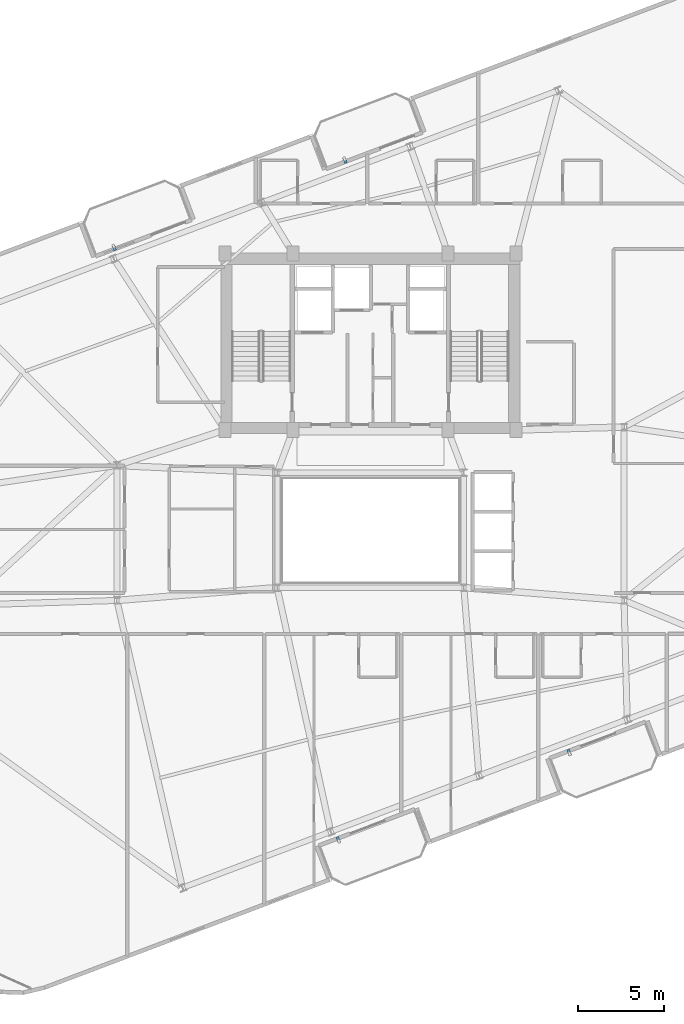
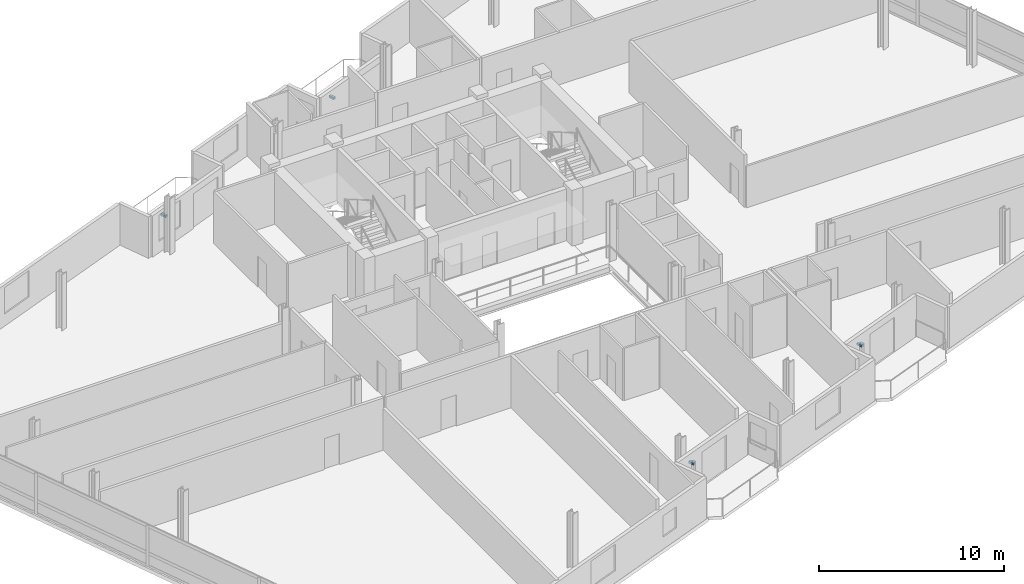
# One storey, part 22 of 24: 4 discrete accessories.
"""IFC4 building model written with IfcOpenShell, lengths in metres."""

from ifc_helpers import new_model, si_unit, direction, frame, origin, origin_2d, place, context, subcontext, project, spatial, rectangle, extrude, source, transform, mapped, material, type_object, element, save


model = new_model("IFC4")

# Units and contexts
model_context = context("Model", 3, precision=1e-05, world=origin(), true_north=direction((0.0, 1.0)))
body_context = subcontext(model_context, "Body", "Model", "MODEL_VIEW")
ifc_project = project(units=[si_unit("LENGTHUNIT", "METRE"), si_unit("AREAUNIT", "SQUARE_METRE"), si_unit("VOLUMEUNIT", "CUBIC_METRE"), si_unit("PLANEANGLEUNIT", "RADIAN"), si_unit("MASSUNIT", "GRAM", prefix="KILO")], contexts=[model_context])

# Site, building, storey
site_placement = place(None, origin())
site = spatial("IfcSite", under=ifc_project, at=site_placement, CompositionType="ELEMENT")
building_placement = place(site_placement, origin())
building = spatial("IfcBuilding", under=site, at=building_placement, Name="Varnelok Gate Tower", CompositionType="ELEMENT")
storey_placement = place(building_placement, frame((0.0, 0.0, 242.300048828125)))
storey = spatial("IfcBuildingStorey", under=building, at=storey_placement, Name="L62", CompositionType="ELEMENT", Elevation=242.300048828125)

# Discrete accessories
ifc_material = material(Name="Structural Steel ASTM A500 Grade C", Category="steel")
discrete_accessory_type = type_object("IfcDiscreteAccessoryType", Name="ACC-BAGUETTE-BRK", PredefinedType="BRACKET", material=ifc_material)
shared_shape = source(origin(), body_context, "Body", "SweptSolid", [
    extrude(rectangle(XDim=0.159912109375, YDim=0.340087890625, at=origin_2d()), origin(), (0.0, 0.0, 1.0), 0.139892578125),
])
for number, where, z_axis, x_axis, name in (
    (1, (37.322509765625, 4.83984375, 1.97998046875), (0.0, 0.0, 1.0), (0.935221751401, 0.354062530786, 0.0), "L62 Terracotta Baguette Bracket 1.1"),
    (2, (50.789794921875, 9.9384765625, 1.97998046875), (0.0, 0.0, 1.0), (0.935221751401, 0.354062530786, 0.0), "L62 Terracotta Baguette Bracket 2.1"),
    (3, (24.243408203125, 39.386962890625, 1.97998046875), (0.0, 0.0, 1.0), (0.935221751401, 0.354062530786, 0.0), "L62 Terracotta Baguette Bracket 3.1"),
    (4, (37.710693359375, 44.485595703125, 1.97998046875), (0.0, 0.0, 1.0), (0.935221751401, 0.354062530786, 0.0), "L62 Terracotta Baguette Bracket 4.1"),
):
    element("IfcDiscreteAccessory", number, at=place(storey_placement, frame(where, z_axis=z_axis, x_axis=x_axis)), inside=storey, type_object=discrete_accessory_type, Name=name, PredefinedType="BRACKET", context=body_context, shape_type="MappedRepresentation", body=[
        mapped(shared_shape, transform((0.0, 0.0, 0.0), scale=1.0)),
    ])

save(model, "model.ifc")
